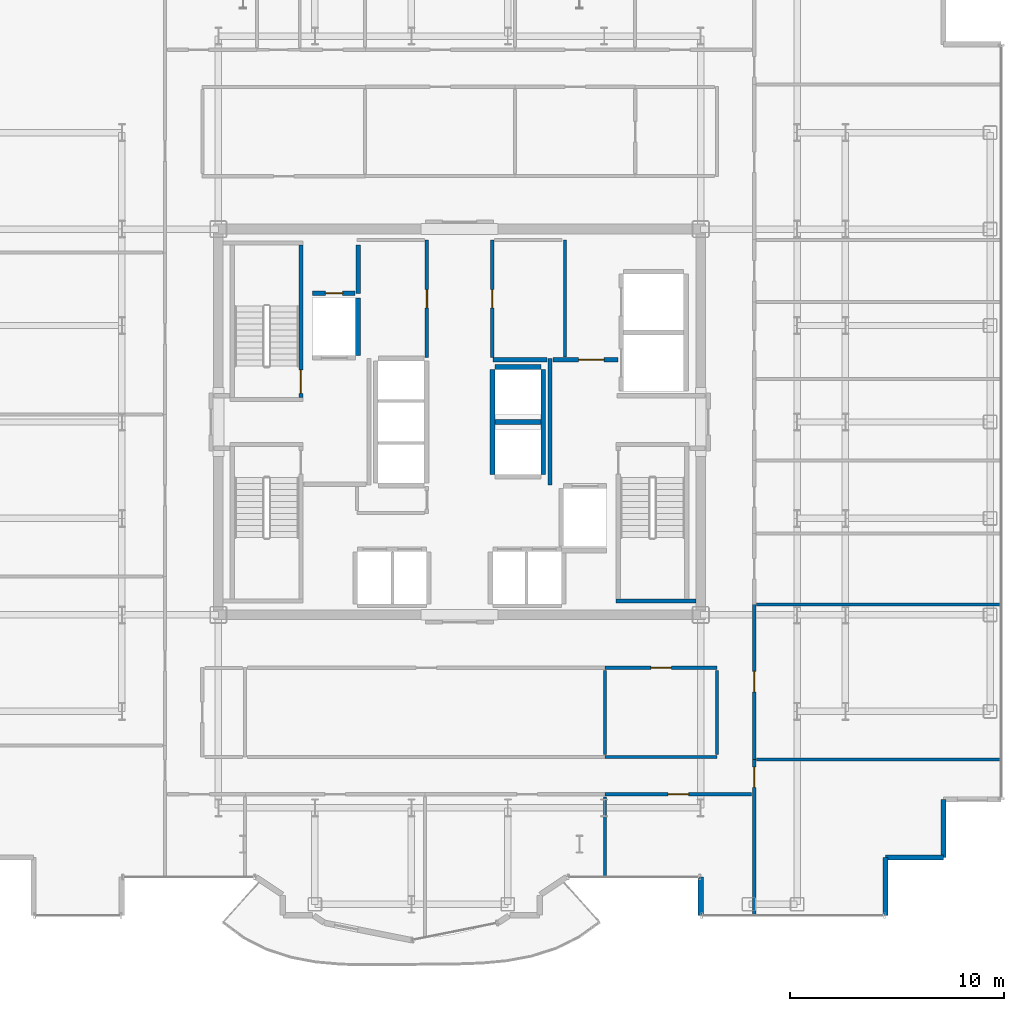
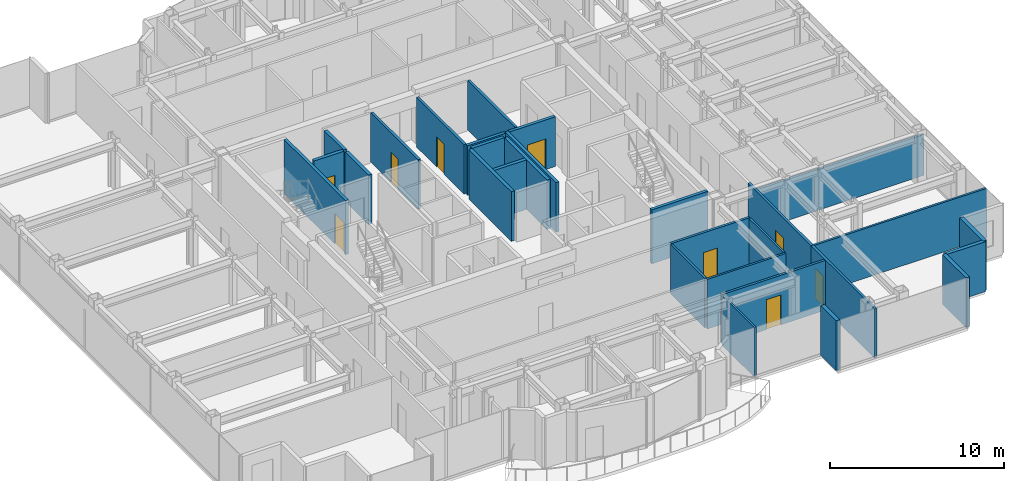
# One storey, part 16 of 21: 29 walls, 9 doors, 9 openings.
"""IFC4 building model written with IfcOpenShell, lengths in metres."""

from ifc_helpers import new_model, si_unit, direction, frame, frame_2d, origin, place, context, subcontext, project, spatial, rectangle, extrude, source, transform, mapped, material, layer, layer_set, type_object, element, fill, save


model = new_model("IFC4")

# Units and contexts
model_context = context("Model", 3, precision=1e-05, world=origin(), true_north=direction((0.0, 1.0)))
body_context = subcontext(model_context, "Body", "Model", "MODEL_VIEW")
ifc_project = project(units=[si_unit("LENGTHUNIT", "METRE"), si_unit("AREAUNIT", "SQUARE_METRE"), si_unit("VOLUMEUNIT", "CUBIC_METRE"), si_unit("PLANEANGLEUNIT", "RADIAN"), si_unit("MASSUNIT", "GRAM", prefix="KILO")], contexts=[model_context])

# Site, building, storey
site_placement = place(None, origin())
site = spatial("IfcSite", under=ifc_project, at=site_placement, CompositionType="ELEMENT")
building_placement = place(site_placement, origin())
building = spatial("IfcBuilding", under=site, at=building_placement, Name="Nefas-Gora Pilgrimage Tower", CompositionType="ELEMENT")
storey_placement = place(building_placement, frame((0.0, 0.0, 256.0)))
storey = spatial("IfcBuildingStorey", under=building, at=storey_placement, Name="L64", CompositionType="ELEMENT", Elevation=256.0)

# Walls
ifc_material_1 = material(Name="Precast concrete C40/50", Category="concrete")
ifc_layer_1 = layer(ifc_material_1, 0.260009765625)
ifc_layer_set_1 = layer_set([ifc_layer_1], Name="Precast concrete C40/50")
wall_type_1 = type_object("IfcWallType", Name="EW-PORTAL-260", PredefinedType="SOLIDWALL", material=ifc_layer_set_1)
shared_shape_1 = source(origin(), body_context, "Body", "SweptSolid", [
    extrude(rectangle(XDim=1.800048828125, YDim=0.260009765625, at=frame_2d((0.89990234375, 0.0))), origin(), (0.0, 0.0, 1.0), 3.5),
])
wall_1_placement = place(storey_placement, frame((11.25, -21.219970703125, 0.0), z_axis=(0.0, 0.0, 1.0), x_axis=(0.0, -1.0, 0.0)))
element("IfcWall", 1, at=wall_1_placement, inside=storey, type_object=wall_type_1, Name="L64 Lobe Shoulder Precast Spandrel Pier 1", PredefinedType="SOLIDWALL", context=body_context, shape_type="MappedRepresentation", body=[
    mapped(shared_shape_1, transform((0.0, 0.0, 0.0), x_axis=(1.0, 0.0, 0.0), y_axis=(0.0, 1.0, 0.0), z_axis=(0.0, 0.0, 1.0), scale=1.0)),
])
ifc_material_2 = material(Name="Precast concrete C45/55", Category="concrete")
ifc_layer_2 = layer(ifc_material_2, 0.239990234375)
ifc_layer_set_2 = layer_set([ifc_layer_2], Name="Precast concrete C45/55")
wall_type_2 = type_object("IfcWallType", Name="EW-SERR-240", PredefinedType="SHEAR", material=ifc_layer_set_2)
shared_shape_2 = source(origin(), body_context, "Body", "SweptSolid", [
    extrude(rectangle(XDim=2.699951171875, YDim=0.239990234375, at=frame_2d((1.35009765625, 0.0))), origin(), (0.0, 0.0, 1.0), 3.5),
])
for number, where, z_axis, x_axis, name in (
    (2, (19.8701171875, -23.02001953125, 0.0), (0.0, 0.0, 1.0), (0.0, 1.0, 0.0), "L64 Serrated Corner Shear Pier Wall 2"),
    (3, (19.8701171875, -20.320068359375, 0.0), (0.0, 0.0, 1.0), (1.0, 0.0, 0.0), "L64 Serrated Corner Shear Pier Wall 3"),
    (4, (22.570068359375, -20.320068359375, 0.0), (0.0, 0.0, 1.0), (0.0, 1.0, 0.0), "L64 Serrated Corner Shear Pier Wall 4"),
):
    element("IfcWall", number, at=place(storey_placement, frame(where, z_axis=z_axis, x_axis=x_axis)), inside=storey, type_object=wall_type_2, Name=name, PredefinedType="SHEAR", context=body_context, shape_type="MappedRepresentation", body=[
        mapped(shared_shape_2, transform((0.0, 0.0, 0.0), x_axis=(1.0, 0.0, 0.0), y_axis=(0.0, 1.0, 0.0), z_axis=(0.0, 0.0, 1.0), scale=1.0)),
    ])

# Wall, opening, door
ifc_material_3 = material(Name="Concrete C45/55", Category="concrete")
ifc_layer_3 = layer(ifc_material_3, 0.199951171875)
ifc_layer_set_3 = layer_set([ifc_layer_3], Name="Concrete C45/55")
wall_type_3 = type_object("IfcWallType", Name="IW-STAIR-200", PredefinedType="SOLIDWALL", material=ifc_layer_set_3)
shared_shape_3 = source(origin(), body_context, "Body", "SweptSolid", [
    extrude(rectangle(XDim=7.10009765625, YDim=0.199951171875, at=frame_2d((3.550048828125, 0.0))), origin(), (0.0, 0.0, 1.0), 3.800048828125),
])
wall_2_placement = place(storey_placement, frame((-7.39990234375, 1.14990234375, 0.0), z_axis=(0.0, 0.0, 1.0), x_axis=(0.0, 1.0, 0.0)))
wall_2 = element("IfcWall", 5, at=wall_2_placement, inside=storey, type_object=wall_type_3, Name="L64 Stairwell Shear Wall ST-01-left", PredefinedType="SOLIDWALL", context=body_context, shape_type="MappedRepresentation", body=[
    mapped(shared_shape_3, transform((0.0, 0.0, 0.0), x_axis=(1.0, 0.0, 0.0), y_axis=(0.0, 1.0, 0.0), z_axis=(0.0, 0.0, 1.0), scale=1.0)),
])
opening_1_placement = place(wall_2_placement, frame((0.179931640625, 0.0, 0.0)))
opening_1 = element("IfcOpeningElement", 6, at=opening_1_placement, cuts=wall_2, Name="Opening ID-ST1", PredefinedType="OPENING", context=body_context, shape_type="SweptSolid", body=[
    extrude(rectangle(XDim=1.10009765625, YDim=2.14990234375, at=frame_2d((0.550048828125, 1.074951171875))), frame((0.0, 0.10986328125, 0.0), z_axis=(0.0, -1.0, 0.0), x_axis=(1.0, 0.0, 0.0)), (0.0, 0.0, 1.0), 0.219970703125),
])
ifc_material_4 = material(Name="Painted galvanised steel fire stair door", Category="steel")
door_type_1 = type_object("IfcDoorType", Name="DR-INT-STAIR-1100", OperationType="NOTDEFINED", PredefinedType="DOOR", material=ifc_material_4)
shared_shape_4 = source(origin(), body_context, "Body", "SweptSolid", [
    extrude(rectangle(XDim=1.10009765625, YDim=2.14990234375, at=frame_2d((0.550048828125, 1.074951171875))), frame((0.0, 0.02490234375, 0.0), z_axis=(0.0, -1.0, 0.0), x_axis=(1.0, 0.0, 0.0)), (0.0, 0.0, 1.0), 0.050048828125),
])
door_1_placement = place(opening_1_placement, origin())
door_1 = element("IfcDoor", 7, at=door_1_placement, inside=storey, type_object=door_type_1, Name="L64 Protected Exit Stair Door ST-01", OperationType="SINGLE_SWING_RIGHT", OverallHeight=2.14990234375, OverallWidth=1.10009765625, PredefinedType="DOOR", context=body_context, shape_type="MappedRepresentation", body=[
    mapped(shared_shape_4, transform((0.0, 0.0, 0.0), x_axis=(1.0, 0.0, 0.0), y_axis=(0.0, 1.0, 0.0), z_axis=(0.0, 0.0, 1.0), scale=1.0)),
])
fill(opening_1, door_1)

# Walls
shared_shape_5 = source(origin(), body_context, "Body", "SweptSolid", [
    extrude(rectangle(XDim=3.72998046875, YDim=0.199951171875, at=frame_2d((1.864990234375, 0.0))), origin(), (0.0, 0.0, 1.0), 3.800048828125),
])
wall_3_placement = place(storey_placement, frame((7.300048828125, -8.35009765625, 0.0), z_axis=(0.0, 0.0, 1.0), x_axis=(1.0, 0.0, 0.0)))
element("IfcWall", 8, at=wall_3_placement, inside=storey, type_object=wall_type_3, Name="L64 Stairwell Shear Wall ST-02-far", PredefinedType="SOLIDWALL", context=body_context, shape_type="MappedRepresentation", body=[
    mapped(shared_shape_5, transform((0.0, 0.0, 0.0), x_axis=(1.0, 0.0, 0.0), y_axis=(0.0, 1.0, 0.0), z_axis=(0.0, 0.0, 1.0), scale=1.0)),
])
ifc_material_5 = material(Name="Concrete C40/50", Category="concrete")
ifc_layer_4 = layer(ifc_material_5, 0.219970703125)
ifc_layer_set_4 = layer_set([ifc_layer_4], Name="Concrete C40/50")
wall_type_4 = type_object("IfcWallType", Name="IW-SHAFT-220", PredefinedType="SOLIDWALL", material=ifc_layer_set_4)
shared_shape_6 = source(origin(), body_context, "Body", "SweptSolid", [
    extrude(rectangle(XDim=2.679931640625, YDim=0.219970703125, at=frame_2d((1.33984375, 0.0))), origin(), (0.0, 0.0, 1.0), 3.485107421875),
])
wall_4_placement = place(storey_placement, frame((-4.739990234375, 3.110107421875, 0.0), z_axis=(0.0, 0.0, 1.0), x_axis=(0.0, 1.0, 0.0)))
element("IfcWall", 9, at=wall_4_placement, inside=storey, type_object=wall_type_4, Name="L64 Hoistway Wall FFL-01-E", PredefinedType="SOLIDWALL", context=body_context, shape_type="MappedRepresentation", body=[
    mapped(shared_shape_6, transform((0.0, 0.0, 0.0), x_axis=(1.0, 0.0, 0.0), y_axis=(0.0, 1.0, 0.0), z_axis=(0.0, 0.0, 1.0), scale=1.0)),
])
shared_shape_7 = source(origin(), body_context, "Body", "SweptSolid", [
    extrude(rectangle(XDim=2.130126953125, YDim=0.219970703125, at=frame_2d((1.06494140625, 0.0))), origin(), (0.0, 0.0, 1.0), 3.485107421875),
])
for number, where, z_axis, x_axis, name in (
    (10, (1.659912109375, 0.0, 0.0), (0.0, 0.0, 1.0), (1.0, 0.0, 0.0), "L64 Hoistway Wall OBS-01-02-DIV"),
    (11, (3.7900390625, 2.56005859375, 0.0), (0.0, 0.0, 1.0), (-1.0, 0.0, 0.0), "L64 Hoistway Wall OBS-02-N"),
):
    element("IfcWall", number, at=place(storey_placement, frame(where, z_axis=z_axis, x_axis=x_axis)), inside=storey, type_object=wall_type_4, Name=name, PredefinedType="SOLIDWALL", context=body_context, shape_type="MappedRepresentation", body=[
        mapped(shared_shape_7, transform((0.0, 0.0, 0.0), x_axis=(1.0, 0.0, 0.0), y_axis=(0.0, 1.0, 0.0), z_axis=(0.0, 0.0, 1.0), scale=1.0)),
    ])
shared_shape_8 = source(origin(), body_context, "Body", "SweptSolid", [
    extrude(rectangle(XDim=4.89990234375, YDim=0.219970703125, at=frame_2d((2.449951171875, 0.0))), origin(), (0.0, 0.0, 1.0), 3.485107421875),
])
for number, where, z_axis, x_axis, name in (
    (12, (1.5400390625, 2.449951171875, 0.0), (0.0, 0.0, 1.0), (0.0, -1.0, 0.0), "L64 Hoistway Wall OBS-01-02-W"),
    (13, (3.909912109375, -2.449951171875, 0.0), (0.0, 0.0, 1.0), (0.0, 1.0, 0.0), "L64 Hoistway Wall OBS-01-02-E"),
):
    element("IfcWall", number, at=place(storey_placement, frame(where, z_axis=z_axis, x_axis=x_axis)), inside=storey, type_object=wall_type_4, Name=name, PredefinedType="SOLIDWALL", context=body_context, shape_type="MappedRepresentation", body=[
        mapped(shared_shape_8, transform((0.0, 0.0, 0.0), x_axis=(1.0, 0.0, 0.0), y_axis=(0.0, 1.0, 0.0), z_axis=(0.0, 0.0, 1.0), scale=1.0)),
    ])
ifc_material_6 = material(Name="Gypsum fire-rated shaftwall")
ifc_layer_5 = layer(ifc_material_6, 0.199951171875)
ifc_layer_set_5 = layer_set([ifc_layer_5], Name="Gypsum fire-rated shaftwall")
wall_type_5 = type_object("IfcWallType", Name="IW-FFLOB-200", PredefinedType="PARTITIONING", material=ifc_layer_set_5)
shared_shape_9 = source(origin(), body_context, "Body", "SweptSolid", [
    extrude(rectangle(XDim=5.89990234375, YDim=0.199951171875, at=frame_2d((2.949951171875, 0.0))), origin(), (0.0, 0.0, 1.0), 3.485107421875),
])
wall_5_placement = place(storey_placement, frame((4.219970703125, -2.949951171875, 0.0), z_axis=(0.0, 0.0, 1.0), x_axis=(0.0, 1.0, 0.0)))
element("IfcWall", 14, at=wall_5_placement, inside=storey, type_object=wall_type_5, Name="L64 FF Lobby East Inner Wall Wall 10", PredefinedType="PARTITIONING", context=body_context, shape_type="MappedRepresentation", body=[
    mapped(shared_shape_9, transform((0.0, 0.0, 0.0), x_axis=(1.0, 0.0, 0.0), y_axis=(0.0, 1.0, 0.0), z_axis=(0.0, 0.0, 1.0), scale=1.0)),
])

# Wall, opening, door
shared_shape_10 = source(origin(), body_context, "Body", "SweptSolid", [
    extrude(rectangle(XDim=3.039794921875, YDim=0.199951171875, at=frame_2d((1.52001953125, 0.0))), origin(), (0.0, 0.0, 1.0), 3.485107421875),
])
wall_6_placement = place(storey_placement, frame((4.360107421875, 2.89990234375, 0.0), z_axis=(0.0, 0.0, 1.0), x_axis=(1.0, 0.0, 0.0)))
wall_6 = element("IfcWall", 15, at=wall_6_placement, inside=storey, type_object=wall_type_5, Name="L64 FF Lobby East North Wall Wall 12", PredefinedType="PARTITIONING", context=body_context, shape_type="MappedRepresentation", body=[
    mapped(shared_shape_10, transform((0.0, 0.0, 0.0), x_axis=(1.0, 0.0, 0.0), y_axis=(0.0, 1.0, 0.0), z_axis=(0.0, 0.0, 1.0), scale=1.0)),
])
opening_2_placement = place(wall_6_placement, frame((1.18994140625, 0.0, 0.0)))
opening_2 = element("IfcOpeningElement", 16, at=opening_2_placement, cuts=wall_6, Name="Opening ID-PL1", PredefinedType="OPENING", context=body_context, shape_type="SweptSolid", body=[
    extrude(rectangle(XDim=1.199951171875, YDim=2.14990234375, at=frame_2d((0.60009765625, 1.074951171875))), frame((0.0, 0.10986328125, 0.0), z_axis=(0.0, -1.0, 0.0), x_axis=(1.0, 0.0, 0.0)), (0.0, 0.0, 1.0), 0.219970703125),
])
ifc_material_7 = material(Name="Heavy-duty steel plant room fire door", Category="steel")
door_type_2 = type_object("IfcDoorType", Name="DR-INT-PLANT-1200", OperationType="NOTDEFINED", PredefinedType="DOOR", material=ifc_material_7)
shared_shape_11 = source(origin(), body_context, "Body", "SweptSolid", [
    extrude(rectangle(XDim=1.199951171875, YDim=2.14990234375, at=frame_2d((0.60009765625, 1.074951171875))), frame((0.0, 0.02490234375, 0.0), z_axis=(0.0, -1.0, 0.0), x_axis=(1.0, 0.0, 0.0)), (0.0, 0.0, 1.0), 0.050048828125),
])
door_2_placement = place(opening_2_placement, origin())
door_2 = element("IfcDoor", 17, at=door_2_placement, inside=storey, type_object=door_type_2, Name="L64 Service Lift Lobby Door Door 4", OperationType="SINGLE_SWING_RIGHT", OverallHeight=2.14990234375, OverallWidth=1.199951171875, PredefinedType="DOOR", context=body_context, shape_type="MappedRepresentation", body=[
    mapped(shared_shape_11, transform((0.0, 0.0, 0.0), x_axis=(1.0, 0.0, 0.0), y_axis=(0.0, 1.0, 0.0), z_axis=(0.0, 0.0, 1.0), scale=1.0)),
])
fill(opening_2, door_2)

ifc_material_8 = material(Name="Gypsum acoustic stud partition")
ifc_layer_6 = layer(ifc_material_8, 0.159912109375)
ifc_layer_set_6 = layer_set([ifc_layer_6], Name="Gypsum acoustic stud partition")
wall_type_6 = type_object("IfcWallType", Name="IW-CORR-160", PredefinedType="PARTITIONING", material=ifc_layer_set_6)
shared_shape_12 = source(origin(), body_context, "Body", "SweptSolid", [
    extrude(rectangle(XDim=6.8251953125, YDim=0.159912109375, at=frame_2d((3.41259765625, 0.0))), origin(), (0.0, 0.0, 1.0), 3.485107421875),
])
wall_7_placement = place(storey_placement, frame((6.794921875, -17.3701171875, 0.0), z_axis=(0.0, 0.0, 1.0), x_axis=(1.0, 0.0, 0.0)))
wall_7 = element("IfcWall", 18, at=wall_7_placement, inside=storey, type_object=wall_type_6, Name="L64 Pilgrim Contemplative Lounge Partition Wall 88", PredefinedType="PARTITIONING", context=body_context, shape_type="MappedRepresentation", body=[
    mapped(shared_shape_12, transform((0.0, 0.0, 0.0), x_axis=(1.0, 0.0, 0.0), y_axis=(0.0, 1.0, 0.0), z_axis=(0.0, 0.0, 1.0), scale=1.0)),
])
opening_3_placement = place(wall_7_placement, frame((2.9375, 0.0, 0.0)))
opening_3 = element("IfcOpeningElement", 19, at=opening_3_placement, cuts=wall_7, Name="Opening ID-GR1", PredefinedType="OPENING", context=body_context, shape_type="SweptSolid", body=[
    extrude(rectangle(XDim=0.949951171875, YDim=2.10009765625, at=frame_2d((0.47509765625, 1.050048828125))), frame((0.0, 0.08984375, 0.0), z_axis=(0.0, -1.0, 0.0), x_axis=(1.0, 0.0, 0.0)), (0.0, 0.0, 1.0), 0.179931640625),
])
ifc_material_9 = material(Name="Solid core oak fire-rated guest entrance door")
door_type_3 = type_object("IfcDoorType", Name="DR-INT-GUEST-950", OperationType="NOTDEFINED", PredefinedType="DOOR", material=ifc_material_9)
shared_shape_13 = source(origin(), body_context, "Body", "SweptSolid", [
    extrude(rectangle(XDim=0.949951171875, YDim=2.10009765625, at=frame_2d((0.47509765625, 1.050048828125))), frame((0.0, 0.02490234375, 0.0), z_axis=(0.0, -1.0, 0.0), x_axis=(1.0, 0.0, 0.0)), (0.0, 0.0, 1.0), 0.050048828125),
])
door_3_placement = place(opening_3_placement, origin())
door_3 = element("IfcDoor", 20, at=door_3_placement, inside=storey, type_object=door_type_3, Name="L64 Pilgrim Contemplative Lounge Door 39", OperationType="SINGLE_SWING_LEFT", OverallHeight=2.10009765625, OverallWidth=0.949951171875, PredefinedType="DOOR", context=body_context, shape_type="MappedRepresentation", body=[
    mapped(shared_shape_13, transform((0.0, 0.0, 0.0), x_axis=(1.0, 0.0, 0.0), y_axis=(0.0, 1.0, 0.0), z_axis=(0.0, 0.0, 1.0), scale=1.0)),
])
fill(opening_3, door_3)

# Walls
ifc_material_10 = material(Name="Gypsum twin-stud partition")
ifc_layer_7 = layer(ifc_material_10, 0.139892578125)
ifc_layer_set_7 = layer_set([ifc_layer_7], Name="Gypsum twin-stud partition")
wall_type_7 = type_object("IfcWallType", Name="IW-UNIT-140", PredefinedType="PARTITIONING", material=ifc_layer_set_7)
shared_shape_14 = source(origin(), body_context, "Body", "SweptSolid", [
    extrude(rectangle(XDim=11.429931640625, YDim=0.139892578125, at=frame_2d((5.71484375, 0.0))), origin(), (0.0, 0.0, 1.0), 2.875),
])
wall_8_placement = place(storey_placement, frame((13.860107421875, -8.5048828125, 0.0), z_axis=(0.0, 0.0, 1.0), x_axis=(1.0, 0.0, 0.0)))
element("IfcWall", 21, at=wall_8_placement, inside=storey, type_object=wall_type_7, Name="L64 Pilgrim Tea and Beverage Pantry Partition Wall 40", PredefinedType="PARTITIONING", context=body_context, shape_type="MappedRepresentation", body=[
    mapped(shared_shape_14, transform((0.0, 0.0, 0.0), x_axis=(1.0, 0.0, 0.0), y_axis=(0.0, 1.0, 0.0), z_axis=(0.0, 0.0, 1.0), scale=1.0)),
])
shared_shape_15 = source(origin(), body_context, "Body", "SweptSolid", [
    extrude(rectangle(XDim=2.25, YDim=0.219970703125, at=frame_2d((1.125, 0.0))), origin(), (0.0, 0.0, 1.0), 3.485107421875),
])
wall_9_placement = place(storey_placement, frame((-4.719970703125, 6.0, 0.0), z_axis=(0.0, 0.0, 1.0), x_axis=(0.0, 1.0, 0.0)))
element("IfcWall", 22, at=wall_9_placement, inside=storey, type_object=wall_type_4, Name="L64 Riser Shaft Wall 1", PredefinedType="SOLIDWALL", context=body_context, shape_type="MappedRepresentation", body=[
    mapped(shared_shape_15, transform((0.0, 0.0, 0.0), x_axis=(1.0, 0.0, 0.0), y_axis=(0.0, 1.0, 0.0), z_axis=(0.0, 0.0, 1.0), scale=1.0)),
])

# Wall, opening, door
shared_shape_16 = source(origin(), body_context, "Body", "SweptSolid", [
    extrude(rectangle(XDim=1.97998046875, YDim=0.219970703125, at=frame_2d((0.989990234375, 0.0))), origin(), (0.0, 0.0, 1.0), 3.485107421875),
])
wall_10_placement = place(storey_placement, frame((-6.85009765625, 6.0, 0.0), z_axis=(0.0, 0.0, 1.0), x_axis=(1.0, 0.0, 0.0)))
wall_10 = element("IfcWall", 23, at=wall_10_placement, inside=storey, type_object=wall_type_4, Name="L64 Riser Shaft Wall 2", PredefinedType="SOLIDWALL", context=body_context, shape_type="MappedRepresentation", body=[
    mapped(shared_shape_16, transform((0.0, 0.0, 0.0), x_axis=(1.0, 0.0, 0.0), y_axis=(0.0, 1.0, 0.0), z_axis=(0.0, 0.0, 1.0), scale=1.0)),
])
opening_4_placement = place(wall_10_placement, frame((0.590087890625, 0.0, 0.0)))
opening_4 = element("IfcOpeningElement", 24, at=opening_4_placement, cuts=wall_10, Name="Opening ID-TR1", PredefinedType="OPENING", context=body_context, shape_type="SweptSolid", body=[
    extrude(rectangle(XDim=0.800048828125, YDim=2.0, at=frame_2d((0.39990234375, 1.0))), frame((0.0, 0.119873046875, 0.0), z_axis=(0.0, -1.0, 0.0), x_axis=(1.0, 0.0, 0.0)), (0.0, 0.0, 1.0), 0.239990234375),
])
ifc_material_11 = material(Name="Riser maintenance fire access door")
door_type_4 = type_object("IfcDoorType", Name="DR-INT-TRAP-800", OperationType="NOTDEFINED", PredefinedType="TRAPDOOR", material=ifc_material_11)
shared_shape_17 = source(origin(), body_context, "Body", "SweptSolid", [
    extrude(rectangle(XDim=0.800048828125, YDim=2.0, at=frame_2d((0.39990234375, 1.0))), frame((0.0, 0.02490234375, 0.0), z_axis=(0.0, -1.0, 0.0), x_axis=(1.0, 0.0, 0.0)), (0.0, 0.0, 1.0), 0.050048828125),
])
door_4_placement = place(opening_4_placement, origin())
door_4 = element("IfcDoor", 25, at=door_4_placement, inside=storey, type_object=door_type_4, Name="L64 Riser Shaft Door 1", OperationType="SINGLE_SWING_LEFT", OverallHeight=2.0, OverallWidth=0.800048828125, PredefinedType="TRAPDOOR", context=body_context, shape_type="MappedRepresentation", body=[
    mapped(shared_shape_17, transform((0.0, 0.0, 0.0), x_axis=(1.0, 0.0, 0.0), y_axis=(0.0, 1.0, 0.0), z_axis=(0.0, 0.0, 1.0), scale=1.0)),
])
fill(opening_4, door_4)

# Walls
shared_shape_18 = source(origin(), body_context, "Body", "SweptSolid", [
    extrude(rectangle(XDim=2.52001953125, YDim=0.199951171875, at=frame_2d((1.260009765625, 0.0))), origin(), (0.0, 0.0, 1.0), 3.485107421875),
])
wall_11_placement = place(storey_placement, frame((1.56005859375, 2.89990234375, 0.0), z_axis=(0.0, 0.0, 1.0), x_axis=(1.0, 0.0, 0.0)))
element("IfcWall", 26, at=wall_11_placement, inside=storey, type_object=wall_type_5, Name="L64 FF Lobby East North Wall Wall 11", PredefinedType="PARTITIONING", context=body_context, shape_type="MappedRepresentation", body=[
    mapped(shared_shape_18, transform((0.0, 0.0, 0.0), x_axis=(1.0, 0.0, 0.0), y_axis=(0.0, 1.0, 0.0), z_axis=(0.0, 0.0, 1.0), scale=1.0)),
])
shared_shape_19 = source(origin(), body_context, "Body", "SweptSolid", [
    extrude(rectangle(XDim=5.449951171875, YDim=0.159912109375, at=frame_2d((2.72509765625, 0.0))), origin(), (0.0, 0.0, 1.0), 3.485107421875),
])
wall_12_placement = place(storey_placement, frame((4.919921875, 3.0400390625, 0.0), z_axis=(0.0, 0.0, 1.0), x_axis=(0.0, 1.0, 0.0)))
element("IfcWall", 27, at=wall_12_placement, inside=storey, type_object=wall_type_6, Name="L64 Service Lift Lobby West Wall Wall 17", PredefinedType="PARTITIONING", context=body_context, shape_type="MappedRepresentation", body=[
    mapped(shared_shape_19, transform((0.0, 0.0, 0.0), x_axis=(1.0, 0.0, 0.0), y_axis=(0.0, 1.0, 0.0), z_axis=(0.0, 0.0, 1.0), scale=1.0)),
])
shared_shape_20 = source(origin(), body_context, "Body", "SweptSolid", [
    extrude(rectangle(XDim=11.429931640625, YDim=0.139892578125, at=frame_2d((5.71484375, 0.0))), origin(), (0.0, 0.0, 1.0), 3.485107421875),
])
wall_13_placement = place(storey_placement, frame((13.860107421875, -15.74755859375, 0.0), z_axis=(0.0, 0.0, 1.0), x_axis=(1.0, 0.0, 0.0)))
element("IfcWall", 28, at=wall_13_placement, inside=storey, type_object=wall_type_7, Name="L64 Pilgrim Tea and Beverage Pantry Partition Wall 38", PredefinedType="PARTITIONING", context=body_context, shape_type="MappedRepresentation", body=[
    mapped(shared_shape_20, transform((0.0, 0.0, 0.0), x_axis=(1.0, 0.0, 0.0), y_axis=(0.0, 1.0, 0.0), z_axis=(0.0, 0.0, 1.0), scale=1.0)),
])
shared_shape_21 = source(origin(), body_context, "Body", "SweptSolid", [
    extrude(rectangle(XDim=3.929931640625, YDim=0.139892578125, at=frame_2d((1.96484375, 0.0))), origin(), (0.0, 0.0, 1.0), 3.485107421875),
])
for number, where, z_axis, x_axis, name in (
    (29, (6.794921875, -15.52001953125, 0.0), (0.0, 0.0, 1.0), (0.0, 1.0, 0.0), "L64 Pilgrim Contemplative Lounge Partition Wall 87"),
    (30, (12.0, -15.52001953125, 0.0), (0.0, 0.0, 1.0), (0.0, 1.0, 0.0), "L64 Pilgrim Contemplative Lounge Partition Wall 91"),
):
    element("IfcWall", number, at=place(storey_placement, frame(where, z_axis=z_axis, x_axis=x_axis)), inside=storey, type_object=wall_type_7, Name=name, PredefinedType="PARTITIONING", context=body_context, shape_type="MappedRepresentation", body=[
        mapped(shared_shape_21, transform((0.0, 0.0, 0.0), x_axis=(1.0, 0.0, 0.0), y_axis=(0.0, 1.0, 0.0), z_axis=(0.0, 0.0, 1.0), scale=1.0)),
    ])
shared_shape_22 = source(origin(), body_context, "Body", "SweptSolid", [
    extrude(rectangle(XDim=3.75, YDim=0.139892578125, at=frame_2d((1.875, 0.0))), origin(), (0.0, 0.0, 1.0), 3.485107421875),
])
wall_14_placement = place(storey_placement, frame((6.794921875, -21.239990234375, 0.0), z_axis=(0.0, 0.0, 1.0), x_axis=(0.0, 1.0, 0.0)))
element("IfcWall", 31, at=wall_14_placement, inside=storey, type_object=wall_type_7, Name="L64 Pilgrim Contemplative Lounge Partition Wall 84", PredefinedType="PARTITIONING", context=body_context, shape_type="MappedRepresentation", body=[
    mapped(shared_shape_22, transform((0.0, 0.0, 0.0), x_axis=(1.0, 0.0, 0.0), y_axis=(0.0, 1.0, 0.0), z_axis=(0.0, 0.0, 1.0), scale=1.0)),
])

# Wall, opening, door
shared_shape_23 = source(origin(), body_context, "Body", "SweptSolid", [
    extrude(rectangle(XDim=5.47998046875, YDim=0.159912109375, at=frame_2d((2.739990234375, 0.0))), origin(), (0.0, 0.0, 1.0), 3.485107421875),
])
wall_15_placement = place(storey_placement, frame((-1.52001953125, 3.010009765625, 0.0), z_axis=(0.0, 0.0, 1.0), x_axis=(0.0, 1.0, 0.0)))
wall_15 = element("IfcWall", 32, at=wall_15_placement, inside=storey, type_object=wall_type_6, Name="L64 Housekeeping and Linen Store Wall 18", PredefinedType="PARTITIONING", context=body_context, shape_type="MappedRepresentation", body=[
    mapped(shared_shape_23, transform((0.0, 0.0, 0.0), x_axis=(1.0, 0.0, 0.0), y_axis=(0.0, 1.0, 0.0), z_axis=(0.0, 0.0, 1.0), scale=1.0)),
])
opening_5_placement = place(wall_15_placement, frame((2.31494140625, 0.0, 0.0)))
opening_5 = element("IfcOpeningElement", 33, at=opening_5_placement, cuts=wall_15, Name="Opening ID-BT1", PredefinedType="OPENING", context=body_context, shape_type="SweptSolid", body=[
    extrude(rectangle(XDim=0.85009765625, YDim=2.10009765625, at=frame_2d((0.425048828125, 1.050048828125))), frame((0.0, 0.08984375, 0.0), z_axis=(0.0, -1.0, 0.0), x_axis=(1.0, 0.0, 0.0)), (0.0, 0.0, 1.0), 0.179931640625),
])
ifc_material_12 = material(Name="Moisture-resistant fire-rated timber door", Category="wood")
door_type_5 = type_object("IfcDoorType", Name="DR-INT-BATH-850", OperationType="NOTDEFINED", PredefinedType="DOOR", material=ifc_material_12)
shared_shape_24 = source(origin(), body_context, "Body", "SweptSolid", [
    extrude(rectangle(XDim=0.85009765625, YDim=2.10009765625, at=frame_2d((0.425048828125, 1.050048828125))), frame((0.0, 0.02490234375, 0.0), z_axis=(0.0, -1.0, 0.0), x_axis=(1.0, 0.0, 0.0)), (0.0, 0.0, 1.0), 0.050048828125),
])
door_5_placement = place(opening_5_placement, origin())
door_5 = element("IfcDoor", 34, at=door_5_placement, inside=storey, type_object=door_type_5, Name="L64 Housekeeping and Linen Store Door 7", OperationType="SINGLE_SWING_LEFT", OverallHeight=2.10009765625, OverallWidth=0.85009765625, PredefinedType="DOOR", context=body_context, shape_type="MappedRepresentation", body=[
    mapped(shared_shape_24, transform((0.0, 0.0, 0.0), x_axis=(1.0, 0.0, 0.0), y_axis=(0.0, 1.0, 0.0), z_axis=(0.0, 0.0, 1.0), scale=1.0)),
])
fill(opening_5, door_5)

wall_16_placement = place(storey_placement, frame((1.52001953125, 3.010009765625, 0.0), z_axis=(0.0, 0.0, 1.0), x_axis=(0.0, 1.0, 0.0)))
wall_16 = element("IfcWall", 35, at=wall_16_placement, inside=storey, type_object=wall_type_6, Name="L64 Freed Bank-1 Amenity Supply Store Wall 23", PredefinedType="PARTITIONING", context=body_context, shape_type="MappedRepresentation", body=[
    mapped(shared_shape_23, transform((0.0, 0.0, 0.0), x_axis=(1.0, 0.0, 0.0), y_axis=(0.0, 1.0, 0.0), z_axis=(0.0, 0.0, 1.0), scale=1.0)),
])
opening_6_placement = place(wall_16_placement, frame((2.31494140625, 0.0, 0.0)))
opening_6 = element("IfcOpeningElement", 36, at=opening_6_placement, cuts=wall_16, Name="Opening ID-BT1", PredefinedType="OPENING", context=body_context, shape_type="SweptSolid", body=[
    extrude(rectangle(XDim=0.85009765625, YDim=2.10009765625, at=frame_2d((0.425048828125, 1.050048828125))), frame((0.0, 0.08984375, 0.0), z_axis=(0.0, -1.0, 0.0), x_axis=(1.0, 0.0, 0.0)), (0.0, 0.0, 1.0), 0.179931640625),
])
door_6_placement = place(opening_6_placement, origin())
door_6 = element("IfcDoor", 37, at=door_6_placement, inside=storey, type_object=door_type_5, Name="L64 Freed Bank-1 Amenity Supply Store Door 9", OperationType="SINGLE_SWING_LEFT", OverallHeight=2.10009765625, OverallWidth=0.85009765625, PredefinedType="DOOR", context=body_context, shape_type="MappedRepresentation", body=[
    mapped(shared_shape_24, transform((0.0, 0.0, 0.0), x_axis=(1.0, 0.0, 0.0), y_axis=(0.0, 1.0, 0.0), z_axis=(0.0, 0.0, 1.0), scale=1.0)),
])
fill(opening_6, door_6)

shared_shape_25 = source(origin(), body_context, "Body", "SweptSolid", [
    extrude(rectangle(XDim=7.302490234375, YDim=0.159912109375, at=frame_2d((3.6513671875, 0.0))), origin(), (0.0, 0.0, 1.0), 3.485107421875),
])
wall_17_placement = place(storey_placement, frame((13.739990234375, -23.0400390625, 0.0), z_axis=(0.0, 0.0, 1.0), x_axis=(0.0, 1.0, 0.0)))
wall_17 = element("IfcWall", 38, at=wall_17_placement, inside=storey, type_object=wall_type_6, Name="L64 Pilgrim Tea and Beverage Pantry Partition Wall 37", PredefinedType="PARTITIONING", context=body_context, shape_type="MappedRepresentation", body=[
    mapped(shared_shape_25, transform((0.0, 0.0, 0.0), x_axis=(1.0, 0.0, 0.0), y_axis=(0.0, 1.0, 0.0), z_axis=(0.0, 0.0, 1.0), scale=1.0)),
])
opening_7_placement = place(wall_17_placement, frame((5.9912109375, 0.0, 0.0)))
opening_7 = element("IfcOpeningElement", 39, at=opening_7_placement, cuts=wall_17, Name="Opening ID-GR1", PredefinedType="OPENING", context=body_context, shape_type="SweptSolid", body=[
    extrude(rectangle(XDim=0.949951171875, YDim=2.10009765625, at=frame_2d((0.47509765625, 1.050048828125))), frame((0.0, 0.08984375, 0.0), z_axis=(0.0, -1.0, 0.0), x_axis=(1.0, 0.0, 0.0)), (0.0, 0.0, 1.0), 0.179931640625),
])
door_7_placement = place(opening_7_placement, origin())
door_7 = element("IfcDoor", 40, at=door_7_placement, inside=storey, type_object=door_type_3, Name="L64 Pilgrim Tea and Beverage Pantry Door 16", OperationType="SINGLE_SWING_RIGHT", OverallHeight=2.10009765625, OverallWidth=0.949951171875, PredefinedType="DOOR", context=body_context, shape_type="MappedRepresentation", body=[
    mapped(shared_shape_13, transform((0.0, 0.0, 0.0), x_axis=(1.0, 0.0, 0.0), y_axis=(0.0, 1.0, 0.0), z_axis=(0.0, 0.0, 1.0), scale=1.0)),
])
fill(opening_7, door_7)

shared_shape_26 = source(origin(), body_context, "Body", "SweptSolid", [
    extrude(rectangle(XDim=7.242431640625, YDim=0.159912109375, at=frame_2d((3.62109375, 0.0))), origin(), (0.0, 0.0, 1.0), 3.485107421875),
])
wall_18_placement = place(storey_placement, frame((13.739990234375, -15.737548828125, 0.0), z_axis=(0.0, 0.0, 1.0), x_axis=(0.0, 1.0, 0.0)))
wall_18 = element("IfcWall", 41, at=wall_18_placement, inside=storey, type_object=wall_type_6, Name="L64 Pilgrim Tea and Beverage Pantry Partition Wall 39", PredefinedType="PARTITIONING", context=body_context, shape_type="MappedRepresentation", body=[
    mapped(shared_shape_26, transform((0.0, 0.0, 0.0), x_axis=(1.0, 0.0, 0.0), y_axis=(0.0, 1.0, 0.0), z_axis=(0.0, 0.0, 1.0), scale=1.0)),
])
opening_8_placement = place(wall_18_placement, frame((3.146240234375, 0.0, 0.0)))
opening_8 = element("IfcOpeningElement", 42, at=opening_8_placement, cuts=wall_18, Name="Opening ID-GR1", PredefinedType="OPENING", context=body_context, shape_type="SweptSolid", body=[
    extrude(rectangle(XDim=0.949951171875, YDim=2.10009765625, at=frame_2d((0.47509765625, 1.050048828125))), frame((0.0, 0.08984375, 0.0), z_axis=(0.0, -1.0, 0.0), x_axis=(1.0, 0.0, 0.0)), (0.0, 0.0, 1.0), 0.179931640625),
])
door_8_placement = place(opening_8_placement, origin())
door_8 = element("IfcDoor", 43, at=door_8_placement, inside=storey, type_object=door_type_3, Name="L64 Pilgrim Tea and Beverage Pantry Door 17", OperationType="SINGLE_SWING_LEFT", OverallHeight=2.10009765625, OverallWidth=0.949951171875, PredefinedType="DOOR", context=body_context, shape_type="MappedRepresentation", body=[
    mapped(shared_shape_13, transform((0.0, 0.0, 0.0), x_axis=(1.0, 0.0, 0.0), y_axis=(0.0, 1.0, 0.0), z_axis=(0.0, 0.0, 1.0), scale=1.0)),
])
fill(opening_8, door_8)

shared_shape_27 = source(origin(), body_context, "Body", "SweptSolid", [
    extrude(rectangle(XDim=5.215087890625, YDim=0.159912109375, at=frame_2d((2.607421875, 0.0))), origin(), (0.0, 0.0, 1.0), 3.485107421875),
])
wall_19_placement = place(storey_placement, frame((6.794921875, -11.469970703125, 0.0), z_axis=(0.0, 0.0, 1.0), x_axis=(1.0, 0.0, 0.0)))
wall_19 = element("IfcWall", 44, at=wall_19_placement, inside=storey, type_object=wall_type_6, Name="L64 Pilgrim Contemplative Lounge Partition Wall 89", PredefinedType="PARTITIONING", context=body_context, shape_type="MappedRepresentation", body=[
    mapped(shared_shape_27, transform((0.0, 0.0, 0.0), x_axis=(1.0, 0.0, 0.0), y_axis=(0.0, 1.0, 0.0), z_axis=(0.0, 0.0, 1.0), scale=1.0)),
])
opening_9_placement = place(wall_19_placement, frame((2.132568359375, 0.0, 0.0)))
opening_9 = element("IfcOpeningElement", 45, at=opening_9_placement, cuts=wall_19, Name="Opening ID-GR1", PredefinedType="OPENING", context=body_context, shape_type="SweptSolid", body=[
    extrude(rectangle(XDim=0.949951171875, YDim=2.10009765625, at=frame_2d((0.47509765625, 1.050048828125))), frame((0.0, 0.08984375, 0.0), z_axis=(0.0, -1.0, 0.0), x_axis=(1.0, 0.0, 0.0)), (0.0, 0.0, 1.0), 0.179931640625),
])
door_9_placement = place(opening_9_placement, origin())
door_9 = element("IfcDoor", 46, at=door_9_placement, inside=storey, type_object=door_type_3, Name="L64 Pilgrim Contemplative Lounge Door 40", OperationType="SINGLE_SWING_RIGHT", OverallHeight=2.10009765625, OverallWidth=0.949951171875, PredefinedType="DOOR", context=body_context, shape_type="MappedRepresentation", body=[
    mapped(shared_shape_13, transform((0.0, 0.0, 0.0), x_axis=(1.0, 0.0, 0.0), y_axis=(0.0, 1.0, 0.0), z_axis=(0.0, 0.0, 1.0), scale=1.0)),
])
fill(opening_9, door_9)

# Wall
shared_shape_28 = source(origin(), body_context, "Body", "SweptSolid", [
    extrude(rectangle(XDim=5.215087890625, YDim=0.139892578125, at=frame_2d((2.607421875, 0.0))), origin(), (0.0, 0.0, 1.0), 3.485107421875),
])
wall_20_placement = place(storey_placement, frame((6.794921875, -15.6298828125, 0.0), z_axis=(0.0, 0.0, 1.0), x_axis=(1.0, 0.0, 0.0)))
element("IfcWall", 47, at=wall_20_placement, inside=storey, type_object=wall_type_7, Name="L64 Pilgrim Contemplative Lounge Partition Wall 90", PredefinedType="PARTITIONING", context=body_context, shape_type="MappedRepresentation", body=[
    mapped(shared_shape_28, transform((0.0, 0.0, 0.0), x_axis=(1.0, 0.0, 0.0), y_axis=(0.0, 1.0, 0.0), z_axis=(0.0, 0.0, 1.0), scale=1.0)),
])

save(model, "model.ifc")
